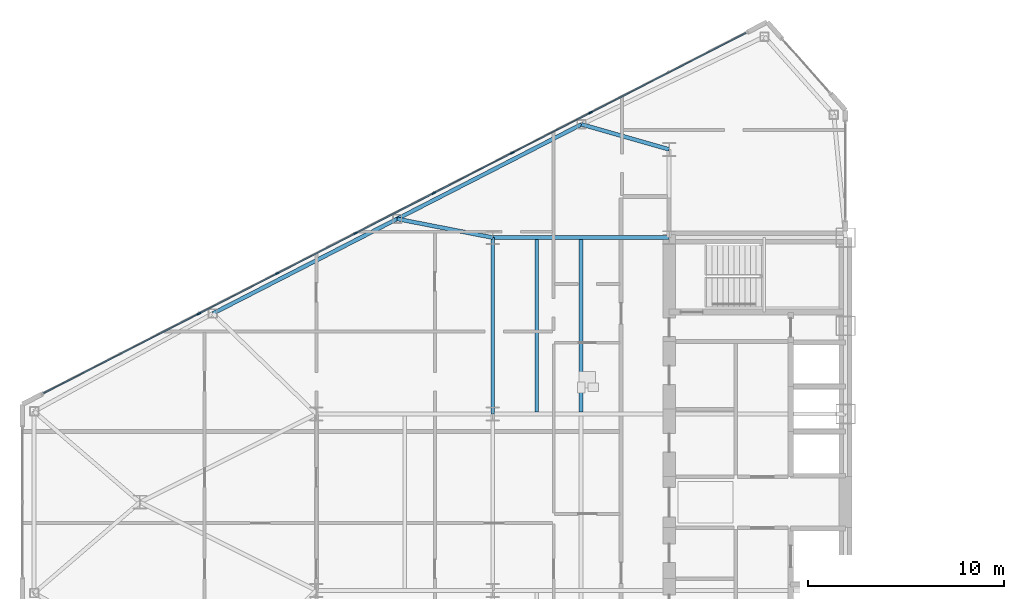
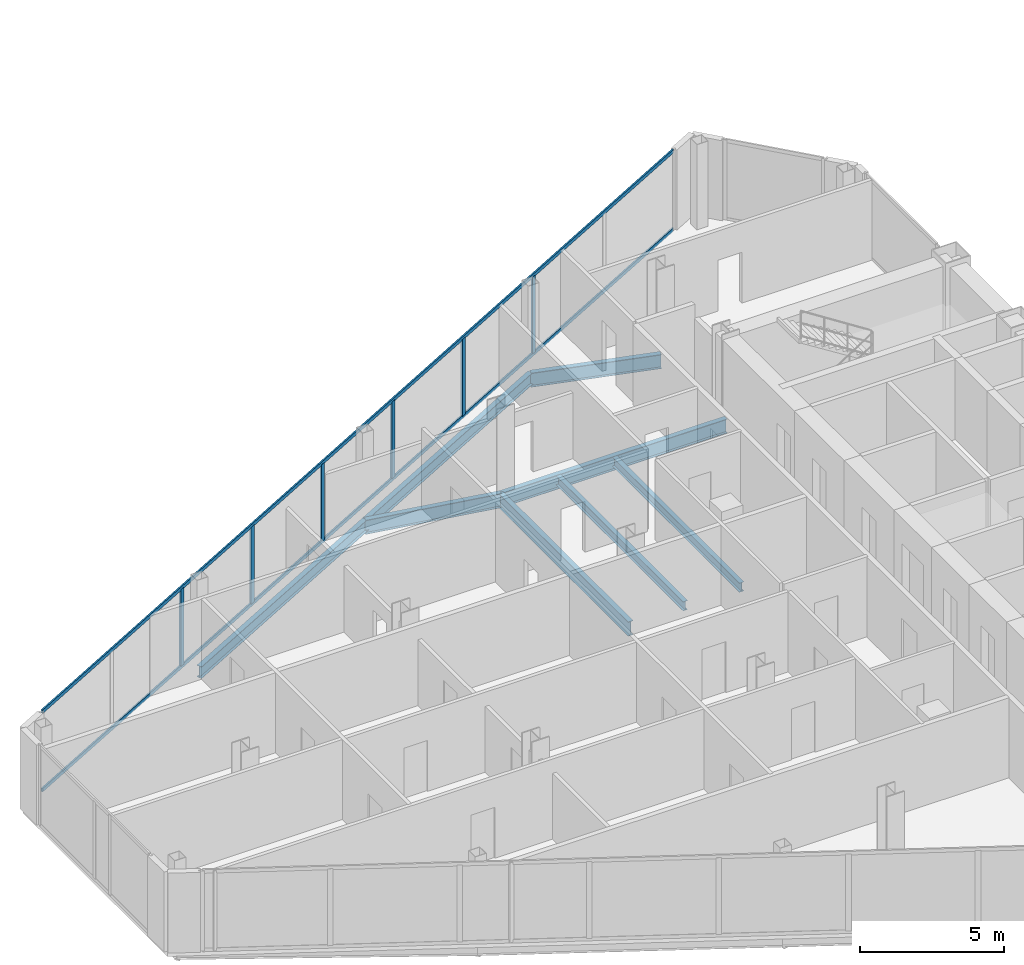
# One storey, part 6 of 24: 8 beams, 8 members, 1 element without a shape of its own.
"""IFC4 building model written with IfcOpenShell, lengths in metres."""

from ifc_helpers import new_model, si_unit, direction, frame, origin, origin_2d, place, context, subcontext, project, spatial, rectangle, i_section, extrude, source, transform, mapped, material, layer, layer_set, material_profile, profile_set, type_object, type_shapes, element, aggregate, save


model = new_model("IFC4")

# Units and contexts
model_context = context("Model", 3, precision=1e-05, world=origin(), true_north=direction((0.0, 1.0)))
body_context = subcontext(model_context, "Body", "Model", "MODEL_VIEW")
ifc_project = project(units=[si_unit("LENGTHUNIT", "METRE"), si_unit("AREAUNIT", "SQUARE_METRE"), si_unit("VOLUMEUNIT", "CUBIC_METRE"), si_unit("PLANEANGLEUNIT", "RADIAN"), si_unit("MASSUNIT", "GRAM", prefix="KILO")], contexts=[model_context])

# Site, building, storey
site_placement = place(None, origin())
site = spatial("IfcSite", under=ifc_project, at=site_placement, CompositionType="ELEMENT")
building_placement = place(site_placement, origin())
building = spatial("IfcBuilding", under=site, at=building_placement, Name="Seokmaru Belvedere", CompositionType="ELEMENT")
storey_placement = place(building_placement, frame((0.0, 0.0, 117.60009765625)))
storey = spatial("IfcBuildingStorey", under=building, at=storey_placement, Name="L31", CompositionType="ELEMENT", Elevation=117.60009765625)

# Beams
ifc_material_1 = material(Name="Steel SM355 (355 MPa)", Category="steel")
ifc_material_profile_1 = material_profile(ifc_material_1, i_section(OverallWidth=0.199951171875, OverallDepth=0.60009765625, WebThickness=0.010986328125, FlangeThickness=0.01708984375, at=origin_2d()), Name="H-600x200x11x17")
ifc_profile_set_1 = profile_set([ifc_material_profile_1], Name="Steel SM355 (355 MPa)")
beam_type_1 = type_object("IfcBeamType", Name="Primary Floor Girder H-600", PredefinedType="BEAM", material=ifc_profile_set_1)
shared_shape_1 = source(origin(), body_context, "Body", "SweptSolid", [
    extrude(i_section(OverallWidth=0.199951171875, OverallDepth=0.60009765625, WebThickness=0.010986328125, FlangeThickness=0.01708984375, at=origin_2d()), origin(), (0.0, 0.0, 1.0), 9.0),
])
for number, where, z_axis, x_axis, name in (
    (1, (-45.5, 4.5, -0.52001953125), (0.0, 1.0, 0.0), (-1.0, 0.0, 0.0), "L31 W Interior Grid Girder 3"),
    (2, (-45.5, 13.5, -0.52001953125), (1.0, 0.0, 0.0), (0.0, 1.0, 0.0), "L31 W Wing Primary Girder 4"),
):
    element("IfcBeam", number, at=place(storey_placement, frame(where, z_axis=z_axis, x_axis=x_axis)), inside=storey, type_object=beam_type_1, Name=name, PredefinedType="BEAM", context=body_context, shape_type="MappedRepresentation", body=[
        mapped(shared_shape_1, transform((0.0, 0.0, 0.0), scale=1.0)),
    ])
ifc_material_profile_2 = material_profile(ifc_material_1, i_section(OverallWidth=0.18505859375, OverallDepth=0.389892578125, WebThickness=0.008056640625, FlangeThickness=0.011962890625, at=origin_2d()), Name="H-390x185x8x12")
ifc_profile_set_2 = profile_set([ifc_material_profile_2], Name="Steel SM355 (355 MPa)")
beam_type_2 = type_object("IfcBeamType", Name="Secondary Floor Joist H-350", PredefinedType="JOIST", material=ifc_profile_set_2)
shared_shape_2 = source(origin(), body_context, "Body", "SweptSolid", [
    extrude(i_section(OverallWidth=0.18505859375, OverallDepth=0.389892578125, WebThickness=0.008056640625, FlangeThickness=0.011962890625, at=origin_2d()), origin(), (0.0, 0.0, 1.0), 8.7900390625),
])
type_shapes(beam_type_2, [shared_shape_2])
for number, where, z_axis, x_axis, name in (
    (3, (-43.25, 4.60498046875, -0.4150390625), (0.0, 1.0, 0.0), (-1.0, 0.0, 0.0), "L31 W Wing Inner Secondary Joist 2"),
    (4, (-41.0, 4.60498046875, -0.4150390625), (0.0, 1.0, 0.0), (-1.0, 0.0, 0.0), "L31 W Secondary Floor Joist 3"),
):
    element("IfcBeam", number, at=place(storey_placement, frame(where, z_axis=z_axis, x_axis=x_axis)), inside=storey, type_object=beam_type_2, Name=name, PredefinedType="JOIST", context=body_context, shape_type="MappedRepresentation", body=[
        mapped(shared_shape_2, transform((0.0, 0.0, 0.0), scale=1.0)),
    ])
ifc_material_profile_3 = material_profile(ifc_material_1, i_section(OverallWidth=0.199951171875, OverallDepth=0.5, WebThickness=0.010009765625, FlangeThickness=0.01611328125, at=origin_2d()), Name="H-500x200x10x16")
ifc_profile_set_3 = profile_set([ifc_material_profile_3], Name="Steel SM355 (355 MPa)")
beam_type_3 = type_object("IfcBeamType", Name="Perimeter Spandrel Beam H-500", PredefinedType="SPANDREL", material=ifc_profile_set_3)
shared_shape_3 = source(origin(), body_context, "Body", "SweptSolid", [
    extrude(i_section(OverallWidth=0.199951171875, OverallDepth=0.5, WebThickness=0.010009765625, FlangeThickness=0.01611328125, at=origin_2d()), origin(), (0.0, 0.0, 1.0), 10.56689453125),
])
type_shapes(beam_type_3, [shared_shape_3])
for number, where, z_axis, x_axis, name in (
    (5, (-40.975830078125, 19.277587890625, -0.47021484375), (-0.889701972758, -0.45654178305, 0.0), (0.45654178305, -0.889701972758, 0.0), "L31 W Faceted Flank Spandrel N-2"),
    (6, (-50.377197265625, 14.453369140625, -0.47021484375), (-0.889692588006, -0.456560071455, 0.0), (0.456560071455, -0.889692588006, 0.0), "L31 W Faceted Flank Spandrel N-3"),
):
    element("IfcBeam", number, at=place(storey_placement, frame(where, z_axis=z_axis, x_axis=x_axis)), inside=storey, type_object=beam_type_3, Name=name, PredefinedType="SPANDREL", context=body_context, shape_type="MappedRepresentation", body=[
        mapped(shared_shape_3, transform((0.0, 0.0, 0.0), scale=1.0)),
    ])
shared_shape_4 = source(origin(), body_context, "Body", "SweptSolid", [
    extrude(i_section(OverallWidth=0.199951171875, OverallDepth=0.60009765625, WebThickness=0.010986328125, FlangeThickness=0.01708984375, at=origin_2d()), origin(), (0.0, 0.0, 1.0), 4.654541015625),
])
beam_1_placement = place(storey_placement, frame((-40.975830078125, 19.277587890625, -0.52001953125), z_axis=(0.961593192625, -0.274478654721, 0.0), x_axis=(0.274478654721, 0.961593192625, 0.0)))
element("IfcBeam", 7, at=beam_1_placement, inside=storey, type_object=beam_type_1, Name="L31 W Flank Radial Floor Girder N-1", PredefinedType="BEAM", context=body_context, shape_type="MappedRepresentation", body=[
    mapped(shared_shape_4, transform((0.0, 0.0, 0.0), scale=1.0)),
])
shared_shape_5 = source(origin(), body_context, "Body", "SweptSolid", [
    extrude(i_section(OverallWidth=0.199951171875, OverallDepth=0.60009765625, WebThickness=0.010986328125, FlangeThickness=0.01708984375, at=origin_2d()), origin(), (0.0, 0.0, 1.0), 4.969482421875),
])
type_shapes(beam_type_1, [shared_shape_1, shared_shape_4, shared_shape_5])
beam_2_placement = place(storey_placement, frame((-50.377197265625, 14.453369140625, -0.52001953125), z_axis=(0.98142544456, -0.19184393858, 0.0), x_axis=(0.19184393858, 0.98142544456, 0.0)))
element("IfcBeam", 8, at=beam_2_placement, inside=storey, type_object=beam_type_1, Name="L31 W Flank Radial Floor Girder N-2", PredefinedType="BEAM", context=body_context, shape_type="MappedRepresentation", body=[
    mapped(shared_shape_5, transform((0.0, 0.0, 0.0), scale=1.0)),
])

# Curtain wall, members
ifc_material_2 = material(Name="Bronze Triple Insulating Glass", Category="glass")
ifc_layer = layer(ifc_material_2, 0.195068359375)
ifc_layer_set = layer_set([ifc_layer], Name="Bronze Triple Insulating Glass")
curtain_wall_type = type_object("IfcCurtainWallType", Name="Sky-Lobby and Mid-Rise Curtain Wall System CW-4", PredefinedType="NOTDEFINED", material=ifc_layer_set)
curtain_wall_placement = place(storey_placement, origin())
curtain_wall = element("IfcCurtainWall", 9, at=curtain_wall_placement, inside=storey, type_object=curtain_wall_type, Name="L31 Curtain Wall WF3", PredefinedType="NOTDEFINED")
ifc_material_3 = material(Name="Anodised Bronze Aluminium", Category="aluminium")
ifc_material_profile_4 = material_profile(ifc_material_3, rectangle(XDim=0.070068359375, YDim=0.195068359375, at=origin_2d()), Name="CW-M-70x195")
ifc_profile_set_4 = profile_set([ifc_material_profile_4], Name="Anodised Bronze Aluminium")
member_type_1 = type_object("IfcMemberType", Name="Bronze Unitised Mullion 70x195", PredefinedType="MULLION", material=ifc_profile_set_4)
shared_shape_6 = source(origin(), body_context, "Body", "SweptSolid", [
    extrude(rectangle(XDim=0.070068359375, YDim=0.195068359375, at=origin_2d()), origin(), (0.0, 0.0, 1.0), 3.25),
])
type_shapes(member_type_1, [shared_shape_6])
member_1_placement = place(storey_placement, frame((-40.5126953125, 19.875, 0.06494140625), z_axis=(0.0, 0.0, 1.0), x_axis=(0.456554528263, -0.889695432562, 0.0)))
member_1 = element("IfcMember", 10, at=member_1_placement, type_object=member_type_1, Name="CW:L31:WF3 Mullion 3", PredefinedType="MULLION", context=body_context, shape_type="MappedRepresentation", body=[
    mapped(shared_shape_6, transform((0.0, 0.0, 0.0), scale=1.0)),
])
member_2_placement = place(storey_placement, frame((-44.5078125, 17.824951171875, 0.06494140625), z_axis=(0.0, 0.0, 1.0), x_axis=(0.456554528263, -0.889695432562, 0.0)))
member_2 = element("IfcMember", 11, at=member_2_placement, type_object=member_type_1, Name="CW:L31:WF3 Mullion 4", PredefinedType="MULLION", context=body_context, shape_type="MappedRepresentation", body=[
    mapped(shared_shape_6, transform((0.0, 0.0, 0.0), scale=1.0)),
])
member_3_placement = place(storey_placement, frame((-48.502685546875, 15.77490234375, 0.06494140625), z_axis=(0.0, 0.0, 1.0), x_axis=(0.456554528263, -0.889695432562, 0.0)))
member_3 = element("IfcMember", 12, at=member_3_placement, type_object=member_type_1, Name="CW:L31:WF3 Mullion 5", PredefinedType="MULLION", context=body_context, shape_type="MappedRepresentation", body=[
    mapped(shared_shape_6, transform((0.0, 0.0, 0.0), scale=1.0)),
])
member_4_placement = place(storey_placement, frame((-52.497314453125, 13.72509765625, 0.06494140625), z_axis=(0.0, 0.0, 1.0), x_axis=(0.456554528263, -0.889695432562, 0.0)))
member_4 = element("IfcMember", 13, at=member_4_placement, type_object=member_type_1, Name="CW:L31:WF3 Mullion 6", PredefinedType="MULLION", context=body_context, shape_type="MappedRepresentation", body=[
    mapped(shared_shape_6, transform((0.0, 0.0, 0.0), scale=1.0)),
])
member_5_placement = place(storey_placement, frame((-56.4921875, 11.675048828125, 0.06494140625), z_axis=(0.0, 0.0, 1.0), x_axis=(0.456554528263, -0.889695432562, 0.0)))
member_5 = element("IfcMember", 14, at=member_5_placement, type_object=member_type_1, Name="CW:L31:WF3 Mullion 7", PredefinedType="MULLION", context=body_context, shape_type="MappedRepresentation", body=[
    mapped(shared_shape_6, transform((0.0, 0.0, 0.0), scale=1.0)),
])
member_6_placement = place(storey_placement, frame((-60.4873046875, 9.625, 0.06494140625), z_axis=(0.0, 0.0, 1.0), x_axis=(0.456554528263, -0.889695432562, 0.0)))
member_6 = element("IfcMember", 15, at=member_6_placement, type_object=member_type_1, Name="CW:L31:WF3 Mullion 8", PredefinedType="MULLION", context=body_context, shape_type="MappedRepresentation", body=[
    mapped(shared_shape_6, transform((0.0, 0.0, 0.0), scale=1.0)),
])
ifc_material_profile_5 = material_profile(ifc_material_3, rectangle(XDim=0.06494140625, YDim=0.14990234375, at=origin_2d()), Name="CW-T-65x150")
ifc_profile_set_5 = profile_set([ifc_material_profile_5], Name="Anodised Bronze Aluminium")
member_type_2 = type_object("IfcMemberType", Name="Bronze Unitised Transom 65x150", PredefinedType="USERDEFINED", material=ifc_profile_set_5)
shared_shape_7 = source(origin(), body_context, "Body", "SweptSolid", [
    extrude(rectangle(XDim=0.06494140625, YDim=0.14990234375, at=origin_2d()), origin(), (0.0, 0.0, 1.0), 40.271240234375),
])
type_shapes(member_type_2, [shared_shape_7])
member_7_placement = place(storey_placement, frame((-32.58544921875, 23.943115234375, 0.032470703125), z_axis=(-0.889693089107, -0.456559094965, 0.0), x_axis=(0.456559094965, -0.889693089107, 0.0)))
member_7 = element("IfcMember", 16, at=member_7_placement, type_object=member_type_2, Name="CW:L31:WF3 Continuous Transom 1", ObjectType="TRANSOM", PredefinedType="USERDEFINED", context=body_context, shape_type="MappedRepresentation", body=[
    mapped(shared_shape_7, transform((0.0, 0.0, 0.0), scale=1.0)),
])
member_8_placement = place(storey_placement, frame((-32.58544921875, 23.943115234375, 3.347412109375), z_axis=(-0.889693089107, -0.456559094965, 0.0), x_axis=(0.456559094965, -0.889693089107, 0.0)))
member_8 = element("IfcMember", 17, at=member_8_placement, type_object=member_type_2, Name="CW:L31:WF3 Continuous Transom 2", ObjectType="TRANSOM", PredefinedType="USERDEFINED", context=body_context, shape_type="MappedRepresentation", body=[
    mapped(shared_shape_7, transform((0.0, 0.0, 0.0), scale=1.0)),
])
aggregate(curtain_wall, [member_1, member_2, member_3, member_4, member_5, member_6, member_7, member_8])

save(model, "model.ifc")
